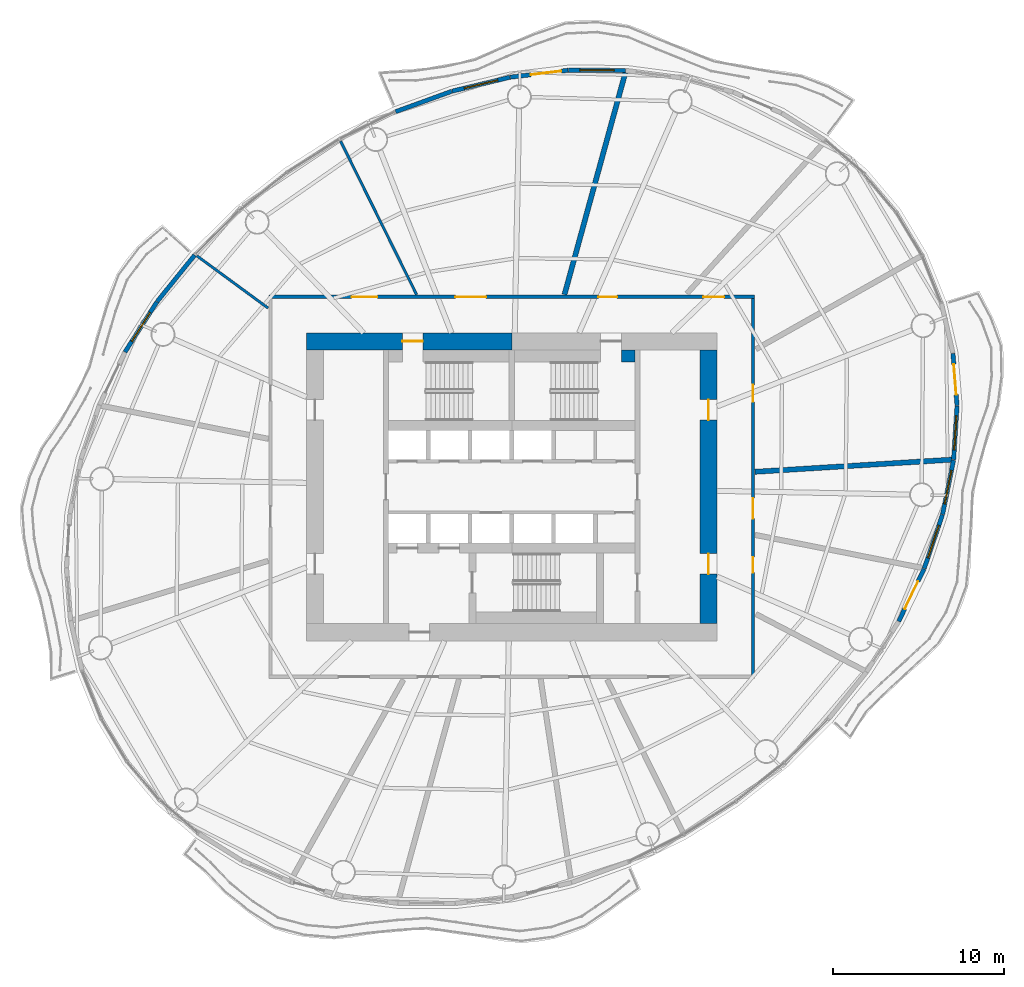
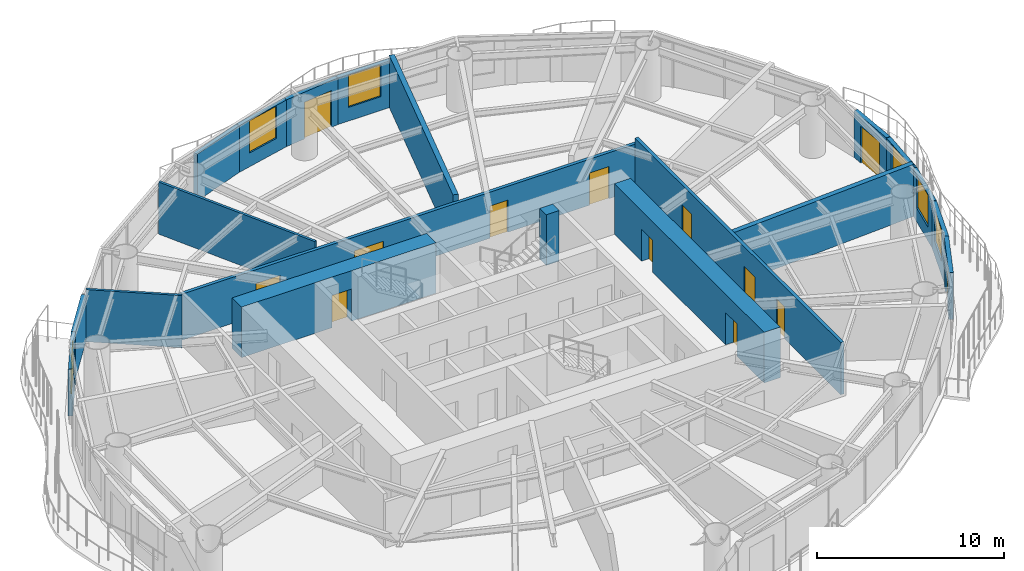
# One storey, part 10 of 15: 20 walls, 13 doors, 6 windows, 19 openings.
"""IFC4 building model written with IfcOpenShell, lengths in metres."""

from ifc_helpers import new_model, si_unit, direction, frame, frame_2d, origin, place, context, subcontext, project, spatial, rectangle, extrude, material, layer, layer_set, type_object, element, fill, save


model = new_model("IFC4")

# Units and contexts
model_context = context("Model", 3, precision=1e-05, world=origin(), true_north=direction((0.0, 1.0)))
body_context = subcontext(model_context, "Body", "Model", "MODEL_VIEW")
ifc_project = project(units=[si_unit("LENGTHUNIT", "METRE"), si_unit("AREAUNIT", "SQUARE_METRE"), si_unit("VOLUMEUNIT", "CUBIC_METRE"), si_unit("PLANEANGLEUNIT", "RADIAN"), si_unit("MASSUNIT", "GRAM", prefix="KILO")], contexts=[model_context])

# Site, building, storey
site_placement = place(None, origin())
site = spatial("IfcSite", under=ifc_project, at=site_placement, CompositionType="ELEMENT")
building_placement = place(site_placement, origin())
building = spatial("IfcBuilding", under=site, at=building_placement, Name="Vermilion Reach Broadcast Tower", CompositionType="ELEMENT")
storey_placement = place(building_placement, frame((0.0, 0.0, 175.800048828125)))
storey = spatial("IfcBuildingStorey", under=building, at=storey_placement, Name="L42", CompositionType="ELEMENT", Elevation=175.800048828125)

# Wall, opening, door
ifc_material_1 = material(Name="Concrete C70", Category="concrete")
ifc_layer_1 = layer(ifc_material_1, 1.0)
ifc_layer_set_1 = layer_set([ifc_layer_1], Name="Core outer wall 1000 mm Concrete C70")
wall_type_1 = type_object("IfcWallType", Name="Core outer wall 1000 mm Concrete C70", PredefinedType="SHEAR", material=ifc_layer_set_1)
wall_1_placement = place(storey_placement, frame((-6.0, 8.5, 0.0), z_axis=(0.0, 0.0, 1.0), x_axis=(-1.0, 0.0, 0.0)))
wall_1 = element("IfcWall", 1, at=wall_1_placement, inside=storey, type_object=wall_type_1, Name="L42 core wall onW", PredefinedType="SHEAR", context=body_context, shape_type="SweptSolid", body=[
    extrude(rectangle(XDim=12.0, YDim=1.0, at=frame_2d((6.0, 0.0))), origin(), (0.0, 0.0, 1.0), 3.300048828125),
])
opening_1_placement = place(wall_1_placement, frame((5.199951171875, 0.0, 0.0)))
opening_1 = element("IfcOpeningElement", 2, at=opening_1_placement, cuts=wall_1, Name="Opening D01", PredefinedType="OPENING", context=body_context, shape_type="SweptSolid", body=[
    extrude(rectangle(XDim=1.199951171875, YDim=2.10009765625, at=frame_2d((0.60009765625, 1.050048828125))), frame((0.0, 0.510009765625, 0.0), z_axis=(0.0, -1.0, 0.0), x_axis=(1.0, 0.0, 0.0)), (0.0, 0.0, 1.0), 1.02001953125),
])
ifc_material_2 = material(Name="Painted steel fire door", Category="steel")
door_type_1 = type_object("IfcDoorType", Name="Stair door 1200 x 2100", OperationType="DOUBLE_DOOR_SINGLE_SWING", PredefinedType="NOTDEFINED", material=ifc_material_2)
door_1_placement = place(opening_1_placement, origin())
door_1 = element("IfcDoor", 3, at=door_1_placement, inside=storey, type_object=door_type_1, Name="L42 stair door ST1", OperationType="DOUBLE_DOOR_SINGLE_SWING", OverallHeight=2.10009765625, OverallWidth=1.199951171875, PredefinedType="NOTDEFINED", context=body_context, shape_type="SweptSolid", body=[
    extrude(rectangle(XDim=1.199951171875, YDim=2.10009765625, at=frame_2d((0.60009765625, 1.050048828125))), frame((0.0, 0.02490234375, 0.0), z_axis=(0.0, -1.0, 0.0), x_axis=(1.0, 0.0, 0.0)), (0.0, 0.0, 1.0), 0.050048828125),
])
fill(opening_1, door_1)

# Wall, openings, doors
wall_2_placement = place(storey_placement, frame((5.5, -8.0, 0.0), z_axis=(0.0, 0.0, 1.0), x_axis=(0.0, 1.0, 0.0)))
wall_2 = element("IfcWall", 4, at=wall_2_placement, inside=storey, type_object=wall_type_1, Name="L42 core wall oe", PredefinedType="SHEAR", context=body_context, shape_type="SweptSolid", body=[
    extrude(rectangle(XDim=16.0, YDim=1.0, at=frame_2d((8.0, 0.0))), origin(), (0.0, 0.0, 1.0), 3.300048828125),
])
opening_2_placement = place(wall_2_placement, frame((2.89990234375, 0.0, 0.0)))
opening_2 = element("IfcOpeningElement", 5, at=opening_2_placement, cuts=wall_2, Name="Opening D03", PredefinedType="OPENING", context=body_context, shape_type="SweptSolid", body=[
    extrude(rectangle(XDim=1.199951171875, YDim=2.10009765625, at=frame_2d((0.60009765625, 1.050048828125))), frame((0.0, 0.510009765625, 0.0), z_axis=(0.0, -1.0, 0.0), x_axis=(1.0, 0.0, 0.0)), (0.0, 0.0, 1.0), 1.02001953125),
])
opening_3_placement = place(wall_2_placement, frame((11.89990234375, 0.0, 0.0)))
opening_3 = element("IfcOpeningElement", 6, at=opening_3_placement, cuts=wall_2, Name="Opening D03", PredefinedType="OPENING", context=body_context, shape_type="SweptSolid", body=[
    extrude(rectangle(XDim=1.199951171875, YDim=2.10009765625, at=frame_2d((0.60009765625, 1.050048828125))), frame((0.0, 0.510009765625, 0.0), z_axis=(0.0, -1.0, 0.0), x_axis=(1.0, 0.0, 0.0)), (0.0, 0.0, 1.0), 1.02001953125),
])
ifc_material_3 = material(Name="Painted steel fire door", Category="steel")
door_type_2 = type_object("IfcDoorType", Name="Core lobby door 1200 x 2100", OperationType="DOUBLE_DOOR_SINGLE_SWING", PredefinedType="NOTDEFINED", material=ifc_material_3)
door_2_placement = place(opening_2_placement, origin())
door_2 = element("IfcDoor", 7, at=door_2_placement, inside=storey, type_object=door_type_2, Name="L42 slot door E0", OperationType="DOUBLE_DOOR_SINGLE_SWING", OverallHeight=2.10009765625, OverallWidth=1.199951171875, PredefinedType="NOTDEFINED", context=body_context, shape_type="SweptSolid", body=[
    extrude(rectangle(XDim=1.199951171875, YDim=2.10009765625, at=frame_2d((0.60009765625, 1.050048828125))), frame((0.0, 0.02490234375, 0.0), z_axis=(0.0, -1.0, 0.0), x_axis=(1.0, 0.0, 0.0)), (0.0, 0.0, 1.0), 0.050048828125),
])
fill(opening_2, door_2)
door_3_placement = place(opening_3_placement, origin())
door_3 = element("IfcDoor", 8, at=door_3_placement, inside=storey, type_object=door_type_2, Name="L42 slot door E1", OperationType="DOUBLE_DOOR_SINGLE_SWING", OverallHeight=2.10009765625, OverallWidth=1.199951171875, PredefinedType="NOTDEFINED", context=body_context, shape_type="SweptSolid", body=[
    extrude(rectangle(XDim=1.199951171875, YDim=2.10009765625, at=frame_2d((0.60009765625, 1.050048828125))), frame((0.0, 0.02490234375, 0.0), z_axis=(0.0, -1.0, 0.0), x_axis=(1.0, 0.0, 0.0)), (0.0, 0.0, 1.0), 0.050048828125),
])
fill(opening_3, door_3)

# Wall
ifc_material_4 = material(Name="Concrete C70", Category="concrete")
ifc_layer_2 = layer(ifc_material_4, 0.699951171875)
ifc_layer_set_2 = layer_set([ifc_layer_2], Name="Core stair wall 700 mm Concrete C70")
wall_type_2 = type_object("IfcWallType", Name="Core stair wall 700 mm Concrete C70", PredefinedType="SHEAR", material=ifc_layer_set_2)
wall_3_placement = place(storey_placement, frame((0.39990234375, 7.64990234375, 0.0), z_axis=(0.0, 0.0, 1.0), x_axis=(1.0, 0.0, 0.0)))
element("IfcWall", 9, at=wall_3_placement, inside=storey, type_object=wall_type_2, Name="L42 core wall l2b", PredefinedType="SHEAR", context=body_context, shape_type="SweptSolid", body=[
    extrude(rectangle(XDim=0.800048828125, YDim=0.699951171875, at=frame_2d((0.39990234375, 0.0))), origin(), (0.0, 0.0, 1.0), 3.300048828125),
])

# Wall, openings, doors
ifc_material_5 = material(Name="Fire-rated gypsum board partition")
ifc_layer_3 = layer(ifc_material_5, 0.199951171875)
ifc_layer_set_3 = layer_set([ifc_layer_3], Name="Corridor wall 200 fire-rated")
wall_type_3 = type_object("IfcWallType", Name="Corridor wall 200 fire-rated", PredefinedType="PARTITIONING", material=ifc_layer_set_3)
wall_4_placement = place(storey_placement, frame((8.10009765625, 11.0, 0.0), z_axis=(0.0, 0.0, 1.0), x_axis=(0.0, -1.0, 0.0)))
wall_4 = element("IfcWall", 10, at=wall_4_placement, inside=storey, type_object=wall_type_3, Name="Corridor wall 42.E", PredefinedType="PARTITIONING", context=body_context, shape_type="SweptSolid", body=[
    extrude(rectangle(XDim=22.0, YDim=0.199951171875, at=frame_2d((11.0, 0.0))), origin(), (0.0, 0.0, 1.0), 3.39990234375),
])
opening_4_placement = place(wall_4_placement, frame((15.1123046875, 0.0, 0.0)))
opening_4 = element("IfcOpeningElement", 11, at=opening_4_placement, cuts=wall_4, Name="Opening D22", PredefinedType="OPENING", context=body_context, shape_type="SweptSolid", body=[
    extrude(rectangle(XDim=0.89990234375, YDim=2.10009765625, at=frame_2d((0.449951171875, 1.050048828125))), frame((0.0, 0.10986328125, 0.0), z_axis=(0.0, -1.0, 0.0), x_axis=(1.0, 0.0, 0.0)), (0.0, 0.0, 1.0), 0.219970703125),
])
opening_5_placement = place(wall_4_placement, frame((11.65966796875, 0.0, 0.0)))
opening_5 = element("IfcOpeningElement", 12, at=opening_5_placement, cuts=wall_4, Name="Opening D26", PredefinedType="OPENING", context=body_context, shape_type="SweptSolid", body=[
    extrude(rectangle(XDim=1.199951171875, YDim=2.10009765625, at=frame_2d((0.60009765625, 1.050048828125))), frame((0.0, 0.10986328125, 0.0), z_axis=(0.0, -1.0, 0.0), x_axis=(1.0, 0.0, 0.0)), (0.0, 0.0, 1.0), 0.219970703125),
])
opening_6_placement = place(wall_4_placement, frame((5.03369140625, 0.0, 0.0)))
opening_6 = element("IfcOpeningElement", 13, at=opening_6_placement, cuts=wall_4, Name="Opening D20", PredefinedType="OPENING", context=body_context, shape_type="SweptSolid", body=[
    extrude(rectangle(XDim=1.0, YDim=2.10009765625, at=frame_2d((0.5, 1.050048828125))), frame((0.0, 0.10986328125, 0.0), z_axis=(0.0, -1.0, 0.0), x_axis=(1.0, 0.0, 0.0)), (0.0, 0.0, 1.0), 0.219970703125),
])
ifc_material_6 = material(Name="Timber door leaf", Category="wood")
door_type_3 = type_object("IfcDoorType", Name="Door single 1000x2100", OperationType="NOTDEFINED", PredefinedType="DOOR", material=ifc_material_6)
door_4_placement = place(opening_6_placement, origin())
door_4 = element("IfcDoor", 14, at=door_4_placement, inside=storey, type_object=door_type_3, Name="Door 42.13", OperationType="SINGLE_SWING_LEFT", OverallHeight=2.10009765625, OverallWidth=1.0, PredefinedType="DOOR", context=body_context, shape_type="SweptSolid", body=[
    extrude(rectangle(XDim=1.0, YDim=2.10009765625, at=frame_2d((0.5, 1.050048828125))), frame((0.0, 0.02490234375, 0.0), z_axis=(0.0, -1.0, 0.0), x_axis=(1.0, 0.0, 0.0)), (0.0, 0.0, 1.0), 0.050048828125),
])
fill(opening_6, door_4)
ifc_material_7 = material(Name="Acoustic timber door leaf", Category="wood")
door_type_4 = type_object("IfcDoorType", Name="Door single 1200x2100", OperationType="NOTDEFINED", PredefinedType="DOOR", material=ifc_material_7)
door_5_placement = place(opening_5_placement, origin())
door_5 = element("IfcDoor", 15, at=door_5_placement, inside=storey, type_object=door_type_4, Name="Door 42.12", OperationType="SINGLE_SWING_RIGHT", OverallHeight=2.10009765625, OverallWidth=1.199951171875, PredefinedType="DOOR", context=body_context, shape_type="SweptSolid", body=[
    extrude(rectangle(XDim=1.199951171875, YDim=2.10009765625, at=frame_2d((0.60009765625, 1.050048828125))), frame((0.0, 0.02490234375, 0.0), z_axis=(0.0, -1.0, 0.0), x_axis=(1.0, 0.0, 0.0)), (0.0, 0.0, 1.0), 0.050048828125),
])
fill(opening_5, door_5)
ifc_material_8 = material(Name="Timber door leaf", Category="wood")
door_type_5 = type_object("IfcDoorType", Name="Door single 900x2100", OperationType="NOTDEFINED", PredefinedType="DOOR", material=ifc_material_8)
door_6_placement = place(opening_4_placement, origin())
door_6 = element("IfcDoor", 16, at=door_6_placement, inside=storey, type_object=door_type_5, Name="Door 42.11", OperationType="SINGLE_SWING_LEFT", OverallHeight=2.10009765625, OverallWidth=0.89990234375, PredefinedType="DOOR", context=body_context, shape_type="SweptSolid", body=[
    extrude(rectangle(XDim=0.89990234375, YDim=2.10009765625, at=frame_2d((0.449951171875, 1.050048828125))), frame((0.0, 0.02490234375, 0.0), z_axis=(0.0, -1.0, 0.0), x_axis=(1.0, 0.0, 0.0)), (0.0, 0.0, 1.0), 0.050048828125),
])
fill(opening_4, door_6)

# Walls
ifc_material_9 = material(Name="Lightweight concrete block, plastered", Category="concrete")
ifc_layer_4 = layer(ifc_material_9, 0.14990234375)
ifc_layer_set_4 = layer_set([ifc_layer_4], Name="Partition 150 lightweight block")
wall_type_4 = type_object("IfcWallType", Name="Partition 150 lightweight block", PredefinedType="PARTITIONING", material=ifc_layer_set_4)
wall_5_placement = place(storey_placement, frame((-16.00439453125, 20.20947265625, 0.0), z_axis=(0.0, 0.0, 1.0), x_axis=(0.443651290201, -0.896199493809, 0.0)))
element("IfcWall", 17, at=wall_5_placement, inside=storey, type_object=wall_type_4, Name="Partition 42.03", PredefinedType="PARTITIONING", context=body_context, shape_type="SweptSolid", body=[
    extrude(rectangle(XDim=10.015869140625, YDim=0.14990234375, at=frame_2d((5.0078125, 0.0))), origin(), (0.0, 0.0, 1.0), 3.39990234375),
])
wall_6_placement = place(storey_placement, frame((-24.406005859375, 13.50390625, 0.0), z_axis=(0.0, 0.0, 1.0), x_axis=(0.806278661404, -0.591535899303, 0.0)))
element("IfcWall", 18, at=wall_6_placement, inside=storey, type_object=wall_type_4, Name="Partition 42.04", PredefinedType="PARTITIONING", context=body_context, shape_type="SweptSolid", body=[
    extrude(rectangle(XDim=5.16162109375, YDim=0.14990234375, at=frame_2d((2.580810546875, 0.0))), origin(), (0.0, 0.0, 1.0), 3.39990234375),
])
ifc_material_10 = material(Name="Double-leaf plasterboard on isolated steel stud", Category="steel")
ifc_layer_5 = layer(ifc_material_10, 0.300048828125)
ifc_layer_set_5 = layer_set([ifc_layer_5], Name="Partition 300 acoustic double leaf")
wall_type_5 = type_object("IfcWallType", Name="Partition 300 acoustic double leaf", PredefinedType="PARTITIONING", material=ifc_layer_set_5)
wall_7_placement = place(storey_placement, frame((0.641357421875, 24.2138671875, 0.0), z_axis=(0.0, 0.0, 1.0), x_axis=(-0.264514468867, -0.964381716832, 0.0)))
element("IfcWall", 19, at=wall_7_placement, inside=storey, type_object=wall_type_5, Name="Partition 42.02", PredefinedType="PARTITIONING", context=body_context, shape_type="SweptSolid", body=[
    extrude(rectangle(XDim=13.453369140625, YDim=0.300048828125, at=frame_2d((6.7265625, 0.0))), origin(), (0.0, 0.0, 1.0), 3.39990234375),
])
wall_8_placement = place(storey_placement, frame((19.69970703125, 1.58935546875, 0.0), z_axis=(0.0, 0.0, 1.0), x_axis=(-0.998092720138, -0.061732665639, 0.0)))
element("IfcWall", 20, at=wall_8_placement, inside=storey, type_object=wall_type_5, Name="Partition 42.13", PredefinedType="PARTITIONING", context=body_context, shape_type="SweptSolid", body=[
    extrude(rectangle(XDim=11.512451171875, YDim=0.300048828125, at=frame_2d((5.75634765625, 0.0))), origin(), (0.0, 0.0, 1.0), 3.39990234375),
])

# Wall, opening, window
ifc_material_11 = material(Name="Terracotta rainscreen cladding", Category="masonry")
ifc_layer_6 = layer(ifc_material_11, 0.25)
ifc_layer_set_6 = layer_set([ifc_layer_6], Name="Terracotta rainscreen wall 250")
wall_type_6 = type_object("IfcWallType", Name="Terracotta rainscreen wall 250", PredefinedType="SOLIDWALL", material=ifc_layer_set_6)
wall_9_placement = place(storey_placement, frame((0.6376953125, 24.338623046875, 0.0), z_axis=(0.0, 0.0, 1.0), x_axis=(-0.999994765707, 0.003235515089, 0.0)))
wall_9 = element("IfcWall", 21, at=wall_9_placement, inside=storey, type_object=wall_type_6, Name="External wall L42 06", PredefinedType="SOLIDWALL", context=body_context, shape_type="SweptSolid", body=[
    extrude(rectangle(XDim=3.320068359375, YDim=0.25, at=frame_2d((1.66015625, 0.0))), origin(), (0.0, 0.0, 1.0), 3.050048828125),
])
opening_7_placement = place(wall_9_placement, frame((0.66015625, 0.0, 0.89990234375)))
opening_7 = element("IfcOpeningElement", 22, at=opening_7_placement, cuts=wall_9, Name="Opening W03", PredefinedType="OPENING", context=body_context, shape_type="SweptSolid", body=[
    extrude(rectangle(XDim=2.0, YDim=2.10009765625, at=frame_2d((1.0, 1.050048828125))), frame((0.0, 0.135009765625, 0.0), z_axis=(0.0, -1.0, 0.0), x_axis=(1.0, 0.0, 0.0)), (0.0, 0.0, 1.0), 0.27001953125),
])
ifc_material_12 = material(Name="Low-e laminated clear glass in aluminium frame", Category="aluminium")
window_type = type_object("IfcWindowType", Name="Punched window 2000 x 2100 sill 900", PartitioningType="SINGLE_PANEL", PredefinedType="WINDOW", material=ifc_material_12)
window_1_placement = place(opening_7_placement, origin())
window_1 = element("IfcWindow", 23, at=window_1_placement, inside=storey, type_object=window_type, Name="Window L42 06", OverallHeight=2.10009765625, OverallWidth=2.0, PartitioningType="SINGLE_PANEL", PredefinedType="WINDOW", context=body_context, shape_type="SweptSolid", body=[
    extrude(rectangle(XDim=2.0, YDim=2.10009765625, at=frame_2d((1.0, 1.050048828125))), frame((0.0, 0.030029296875, 0.0), z_axis=(0.0, -1.0, 0.0), x_axis=(1.0, 0.0, 0.0)), (0.0, 0.0, 1.0), 0.06005859375),
])
fill(opening_7, window_1)

# Wall, opening, door
wall_10_placement = place(storey_placement, frame((-2.70556640625, 24.347900390625, 0.0), z_axis=(0.0, 0.0, 1.0), x_axis=(-0.992928000629, -0.118718092836, 0.0)))
wall_10 = element("IfcWall", 24, at=wall_10_placement, inside=storey, type_object=wall_type_6, Name="External wall L42 07", PredefinedType="SOLIDWALL", context=body_context, shape_type="SweptSolid", body=[
    extrude(rectangle(XDim=3.403564453125, YDim=0.25, at=frame_2d((1.70166015625, 0.0))), origin(), (0.0, 0.0, 1.0), 3.050048828125),
])
opening_8_placement = place(wall_10_placement, frame((0.402099609375, 0.0, 0.0)))
opening_8 = element("IfcOpeningElement", 25, at=opening_8_placement, cuts=wall_10, Name="Opening D70", PredefinedType="OPENING", context=body_context, shape_type="SweptSolid", body=[
    extrude(rectangle(XDim=1.800048828125, YDim=2.39990234375, at=frame_2d((0.89990234375, 1.199951171875))), frame((0.0, 0.135009765625, 0.0), z_axis=(0.0, -1.0, 0.0), x_axis=(1.0, 0.0, 0.0)), (0.0, 0.0, 1.0), 0.27001953125),
])
ifc_material_13 = material(Name="Low-e laminated clear glass in aluminium frame", Category="aluminium")
door_type_6 = type_object("IfcDoorType", Name="Balcony sliding door 1800 x 2400", OperationType="DOUBLE_DOOR_SLIDING", PredefinedType="DOOR", material=ifc_material_13)
door_7_placement = place(opening_8_placement, origin())
door_7 = element("IfcDoor", 26, at=door_7_placement, inside=storey, type_object=door_type_6, Name="Balcony door L42 run 02", OperationType="DOUBLE_DOOR_SLIDING", OverallHeight=2.39990234375, OverallWidth=1.800048828125, PredefinedType="DOOR", context=body_context, shape_type="SweptSolid", body=[
    extrude(rectangle(XDim=1.800048828125, YDim=2.39990234375, at=frame_2d((0.89990234375, 1.199951171875))), frame((0.0, 0.02490234375, 0.0), z_axis=(0.0, -1.0, 0.0), x_axis=(1.0, 0.0, 0.0)), (0.0, 0.0, 1.0), 0.050048828125),
])
fill(opening_8, door_7)

# Wall, opening, window
wall_11_placement = place(storey_placement, frame((-6.107177734375, 23.93994140625, 0.0), z_axis=(0.0, 0.0, 1.0), x_axis=(-0.97230053317, -0.233734193469, 0.0)))
wall_11 = element("IfcWall", 27, at=wall_11_placement, inside=storey, type_object=wall_type_6, Name="External wall L42 08", PredefinedType="SOLIDWALL", context=body_context, shape_type="SweptSolid", body=[
    extrude(rectangle(XDim=3.47607421875, YDim=0.25, at=frame_2d((1.738037109375, 0.0))), origin(), (0.0, 0.0, 1.0), 3.050048828125),
])
opening_9_placement = place(wall_11_placement, frame((0.738037109375, 0.0, 0.89990234375)))
opening_9 = element("IfcOpeningElement", 28, at=opening_9_placement, cuts=wall_11, Name="Opening W03", PredefinedType="OPENING", context=body_context, shape_type="SweptSolid", body=[
    extrude(rectangle(XDim=2.0, YDim=2.10009765625, at=frame_2d((1.0, 1.050048828125))), frame((0.0, 0.135009765625, 0.0), z_axis=(0.0, -1.0, 0.0), x_axis=(1.0, 0.0, 0.0)), (0.0, 0.0, 1.0), 0.27001953125),
])
window_2_placement = place(opening_9_placement, origin())
window_2 = element("IfcWindow", 29, at=window_2_placement, inside=storey, type_object=window_type, Name="Window L42 08", OverallHeight=2.10009765625, OverallWidth=2.0, PartitioningType="SINGLE_PANEL", PredefinedType="WINDOW", context=body_context, shape_type="SweptSolid", body=[
    extrude(rectangle(XDim=2.0, YDim=2.10009765625, at=frame_2d((1.0, 1.050048828125))), frame((0.0, 0.030029296875, 0.0), z_axis=(0.0, -1.0, 0.0), x_axis=(1.0, 0.0, 0.0)), (0.0, 0.0, 1.0), 0.06005859375),
])
fill(opening_9, window_2)

# Walls
wall_12_placement = place(storey_placement, frame((-9.508056640625, 23.12109375, 0.0), z_axis=(0.0, 0.0, 1.0), x_axis=(-0.939842425933, -0.341608276271, 0.0)))
element("IfcWall", 30, at=wall_12_placement, inside=storey, type_object=wall_type_6, Name="External wall L42 09", PredefinedType="SOLIDWALL", context=body_context, shape_type="SweptSolid", body=[
    extrude(rectangle(XDim=3.490478515625, YDim=0.25, at=frame_2d((1.7451171875, 0.0))), origin(), (0.0, 0.0, 1.0), 3.050048828125),
])
wall_13_placement = place(storey_placement, frame((-24.533447265625, 13.544921875, 0.0), z_axis=(0.0, 0.0, 1.0), x_axis=(-0.628441308027, -0.777857006374, 0.0)))
element("IfcWall", 31, at=wall_13_placement, inside=storey, type_object=wall_type_6, Name="External wall L42 14", PredefinedType="SOLIDWALL", context=body_context, shape_type="SweptSolid", body=[
    extrude(rectangle(XDim=3.490234375, YDim=0.25, at=frame_2d((1.7451171875, 0.0))), origin(), (0.0, 0.0, 1.0), 3.050048828125),
])

# Wall, opening, window
wall_14_placement = place(storey_placement, frame((-26.73974609375, 10.81201171875, 0.0), z_axis=(0.0, 0.0, 1.0), x_axis=(-0.53695729442, -0.843609426197, 0.0)))
wall_14 = element("IfcWall", 32, at=wall_14_placement, inside=storey, type_object=wall_type_6, Name="External wall L42 15", PredefinedType="SOLIDWALL", context=body_context, shape_type="SweptSolid", body=[
    extrude(rectangle(XDim=3.47607421875, YDim=0.25, at=frame_2d((1.738037109375, 0.0))), origin(), (0.0, 0.0, 1.0), 3.050048828125),
])
opening_10_placement = place(wall_14_placement, frame((0.738037109375, 0.0, 0.89990234375)))
opening_10 = element("IfcOpeningElement", 33, at=opening_10_placement, cuts=wall_14, Name="Opening W03", PredefinedType="OPENING", context=body_context, shape_type="SweptSolid", body=[
    extrude(rectangle(XDim=2.0, YDim=2.10009765625, at=frame_2d((1.0, 1.050048828125))), frame((0.0, 0.135009765625, 0.0), z_axis=(0.0, -1.0, 0.0), x_axis=(1.0, 0.0, 0.0)), (0.0, 0.0, 1.0), 0.27001953125),
])
window_3_placement = place(opening_10_placement, origin())
window_3 = element("IfcWindow", 34, at=window_3_placement, inside=storey, type_object=window_type, Name="Window L42 15", OverallHeight=2.10009765625, OverallWidth=2.0, PartitioningType="SINGLE_PANEL", PredefinedType="WINDOW", context=body_context, shape_type="SweptSolid", body=[
    extrude(rectangle(XDim=2.0, YDim=2.10009765625, at=frame_2d((1.0, 1.050048828125))), frame((0.0, 0.030029296875, 0.0), z_axis=(0.0, -1.0, 0.0), x_axis=(1.0, 0.0, 0.0)), (0.0, 0.0, 1.0), 0.06005859375),
])
fill(opening_10, window_3)

# Wall, opening, door
wall_15_placement = place(storey_placement, frame((16.6171875, -7.85986328125, 0.0), z_axis=(0.0, 0.0, 1.0), x_axis=(0.434919571845, 0.900469303211, 0.0)))
wall_15 = element("IfcWall", 35, at=wall_15_placement, inside=storey, type_object=wall_type_6, Name="External wall L42 40", PredefinedType="SOLIDWALL", context=body_context, shape_type="SweptSolid", body=[
    extrude(rectangle(XDim=3.403564453125, YDim=0.25, at=frame_2d((1.70166015625, 0.0))), origin(), (0.0, 0.0, 1.0), 3.050048828125),
])
opening_11_placement = place(wall_15_placement, frame((0.802001953125, 0.0, 0.0)))
opening_11 = element("IfcOpeningElement", 36, at=opening_11_placement, cuts=wall_15, Name="Opening D70", PredefinedType="OPENING", context=body_context, shape_type="SweptSolid", body=[
    extrude(rectangle(XDim=1.800048828125, YDim=2.39990234375, at=frame_2d((0.89990234375, 1.199951171875))), frame((0.0, 0.135009765625, 0.0), z_axis=(0.0, -1.0, 0.0), x_axis=(1.0, 0.0, 0.0)), (0.0, 0.0, 1.0), 0.27001953125),
])
door_8_placement = place(opening_11_placement, origin())
door_8 = element("IfcDoor", 37, at=door_8_placement, inside=storey, type_object=door_type_6, Name="Balcony door L42 run 10", OperationType="DOUBLE_DOOR_SLIDING", OverallHeight=2.39990234375, OverallWidth=1.800048828125, PredefinedType="DOOR", context=body_context, shape_type="SweptSolid", body=[
    extrude(rectangle(XDim=1.800048828125, YDim=2.39990234375, at=frame_2d((0.89990234375, 1.199951171875))), frame((0.0, 0.02490234375, 0.0), z_axis=(0.0, -1.0, 0.0), x_axis=(1.0, 0.0, 0.0)), (0.0, 0.0, 1.0), 0.050048828125),
])
fill(opening_11, door_8)

# Wall, opening, window
wall_16_placement = place(storey_placement, frame((18.106201171875, -4.773681640625, 0.0), z_axis=(0.0, 0.0, 1.0), x_axis=(0.321869774717, 0.946783950077, 0.0)))
wall_16 = element("IfcWall", 38, at=wall_16_placement, inside=storey, type_object=wall_type_6, Name="External wall L42 41", PredefinedType="SOLIDWALL", context=body_context, shape_type="SweptSolid", body=[
    extrude(rectangle(XDim=3.320068359375, YDim=0.25, at=frame_2d((1.66015625, 0.0))), origin(), (0.0, 0.0, 1.0), 3.050048828125),
])
opening_12_placement = place(wall_16_placement, frame((0.66015625, 0.0, 0.89990234375)))
opening_12 = element("IfcOpeningElement", 39, at=opening_12_placement, cuts=wall_16, Name="Opening W03", PredefinedType="OPENING", context=body_context, shape_type="SweptSolid", body=[
    extrude(rectangle(XDim=2.0, YDim=2.10009765625, at=frame_2d((1.0, 1.050048828125))), frame((0.0, 0.135009765625, 0.0), z_axis=(0.0, -1.0, 0.0), x_axis=(1.0, 0.0, 0.0)), (0.0, 0.0, 1.0), 0.27001953125),
])
window_4_placement = place(opening_12_placement, origin())
window_4 = element("IfcWindow", 40, at=window_4_placement, inside=storey, type_object=window_type, Name="Window L42 41", OverallHeight=2.10009765625, OverallWidth=2.0, PartitioningType="SINGLE_PANEL", PredefinedType="WINDOW", context=body_context, shape_type="SweptSolid", body=[
    extrude(rectangle(XDim=2.0, YDim=2.10009765625, at=frame_2d((1.0, 1.050048828125))), frame((0.0, 0.030029296875, 0.0), z_axis=(0.0, -1.0, 0.0), x_axis=(1.0, 0.0, 0.0)), (0.0, 0.0, 1.0), 0.06005859375),
])
fill(opening_12, window_4)

wall_17_placement = place(storey_placement, frame((19.18115234375, -1.607177734375, 0.0), z_axis=(0.0, 0.0, 1.0), x_axis=(0.198076987467, 0.980186465442, 0.0)))
wall_17 = element("IfcWall", 41, at=wall_17_placement, inside=storey, type_object=wall_type_6, Name="External wall L42 42", PredefinedType="SOLIDWALL", context=body_context, shape_type="SweptSolid", body=[
    extrude(rectangle(XDim=3.231689453125, YDim=0.25, at=frame_2d((1.61572265625, 0.0))), origin(), (0.0, 0.0, 1.0), 3.050048828125),
])
opening_13_placement = place(wall_17_placement, frame((0.615966796875, 0.0, 0.89990234375)))
opening_13 = element("IfcOpeningElement", 42, at=opening_13_placement, cuts=wall_17, Name="Opening W03", PredefinedType="OPENING", context=body_context, shape_type="SweptSolid", body=[
    extrude(rectangle(XDim=2.0, YDim=2.10009765625, at=frame_2d((1.0, 1.050048828125))), frame((0.0, 0.135009765625, 0.0), z_axis=(0.0, -1.0, 0.0), x_axis=(1.0, 0.0, 0.0)), (0.0, 0.0, 1.0), 0.27001953125),
])
window_5_placement = place(opening_13_placement, origin())
window_5 = element("IfcWindow", 43, at=window_5_placement, inside=storey, type_object=window_type, Name="Window L42 42", OverallHeight=2.10009765625, OverallWidth=2.0, PartitioningType="SINGLE_PANEL", PredefinedType="WINDOW", context=body_context, shape_type="SweptSolid", body=[
    extrude(rectangle(XDim=2.0, YDim=2.10009765625, at=frame_2d((1.0, 1.050048828125))), frame((0.0, 0.030029296875, 0.0), z_axis=(0.0, -1.0, 0.0), x_axis=(1.0, 0.0, 0.0)), (0.0, 0.0, 1.0), 0.06005859375),
])
fill(opening_13, window_5)

wall_18_placement = place(storey_placement, frame((19.824462890625, 1.585205078125, 0.0), z_axis=(0.0, 0.0, 1.0), x_axis=(0.064065458037, 0.997945698466, 0.0)))
wall_18 = element("IfcWall", 44, at=wall_18_placement, inside=storey, type_object=wall_type_6, Name="External wall L42 43", PredefinedType="SOLIDWALL", context=body_context, shape_type="SweptSolid", body=[
    extrude(rectangle(XDim=3.143798828125, YDim=0.25, at=frame_2d((1.57177734375, 0.0))), origin(), (0.0, 0.0, 1.0), 3.050048828125),
])
opening_14_placement = place(wall_18_placement, frame((0.572021484375, 0.0, 0.89990234375)))
opening_14 = element("IfcOpeningElement", 45, at=opening_14_placement, cuts=wall_18, Name="Opening W03", PredefinedType="OPENING", context=body_context, shape_type="SweptSolid", body=[
    extrude(rectangle(XDim=2.0, YDim=2.10009765625, at=frame_2d((1.0, 1.050048828125))), frame((0.0, 0.135009765625, 0.0), z_axis=(0.0, -1.0, 0.0), x_axis=(1.0, 0.0, 0.0)), (0.0, 0.0, 1.0), 0.27001953125),
])
window_6_placement = place(opening_14_placement, origin())
window_6 = element("IfcWindow", 46, at=window_6_placement, inside=storey, type_object=window_type, Name="Window L42 43", OverallHeight=2.10009765625, OverallWidth=2.0, PartitioningType="SINGLE_PANEL", PredefinedType="WINDOW", context=body_context, shape_type="SweptSolid", body=[
    extrude(rectangle(XDim=2.0, YDim=2.10009765625, at=frame_2d((1.0, 1.050048828125))), frame((0.0, 0.030029296875, 0.0), z_axis=(0.0, -1.0, 0.0), x_axis=(1.0, 0.0, 0.0)), (0.0, 0.0, 1.0), 0.06005859375),
])
fill(opening_14, window_6)

# Wall, opening, door
wall_19_placement = place(storey_placement, frame((20.02587890625, 4.748291015625, 0.0), z_axis=(0.0, 0.0, 1.0), x_axis=(-0.078116681752, 0.99694422313, 0.0)))
wall_19 = element("IfcWall", 47, at=wall_19_placement, inside=storey, type_object=wall_type_6, Name="External wall L42 44", PredefinedType="SOLIDWALL", context=body_context, shape_type="SweptSolid", body=[
    extrude(rectangle(XDim=3.062744140625, YDim=0.25, at=frame_2d((1.53125, 0.0))), origin(), (0.0, 0.0, 1.0), 3.050048828125),
])
opening_15_placement = place(wall_19_placement, frame((0.631103515625, 0.0, 0.0)))
opening_15 = element("IfcOpeningElement", 48, at=opening_15_placement, cuts=wall_19, Name="Opening D70", PredefinedType="OPENING", context=body_context, shape_type="SweptSolid", body=[
    extrude(rectangle(XDim=1.800048828125, YDim=2.39990234375, at=frame_2d((0.89990234375, 1.199951171875))), frame((0.0, 0.135009765625, 0.0), z_axis=(0.0, -1.0, 0.0), x_axis=(1.0, 0.0, 0.0)), (0.0, 0.0, 1.0), 0.27001953125),
])
door_9_placement = place(opening_15_placement, origin())
door_9 = element("IfcDoor", 49, at=door_9_placement, inside=storey, type_object=door_type_6, Name="Balcony door L42 run 11", OperationType="DOUBLE_DOOR_SLIDING", OverallHeight=2.39990234375, OverallWidth=1.800048828125, PredefinedType="DOOR", context=body_context, shape_type="SweptSolid", body=[
    extrude(rectangle(XDim=1.800048828125, YDim=2.39990234375, at=frame_2d((0.89990234375, 1.199951171875))), frame((0.0, 0.02490234375, 0.0), z_axis=(0.0, -1.0, 0.0), x_axis=(1.0, 0.0, 0.0)), (0.0, 0.0, 1.0), 0.050048828125),
])
fill(opening_15, door_9)

# Wall, openings, doors
ifc_material_14 = material(Name="Fire-rated gypsum board partition")
ifc_layer_7 = layer(ifc_material_14, 0.199951171875)
ifc_layer_set_7 = layer_set([ifc_layer_7], Name="Under girder: Corridor wall 200 fire-rated")
wall_type_7 = type_object("IfcWallType", Name="Under girder: Corridor wall 200 fire-rated", PredefinedType="PARTITIONING", material=ifc_layer_set_7)
wall_20_placement = place(storey_placement, frame((-20.199951171875, 11.10009765625, 0.0), z_axis=(0.0, 0.0, 1.0), x_axis=(1.0, 0.0, 0.0)))
wall_20 = element("IfcWall", 50, at=wall_20_placement, inside=storey, type_object=wall_type_7, Name="Corridor wall 42.N", PredefinedType="PARTITIONING", context=body_context, shape_type="SweptSolid", body=[
    extrude(rectangle(XDim=28.39990234375, YDim=0.199951171875, at=frame_2d((14.199951171875, 0.0))), origin(), (0.0, 0.0, 1.0), 3.0),
])
opening_16_placement = place(wall_20_placement, frame((19.265380859375, 0.0, 0.0)))
opening_16 = element("IfcOpeningElement", 51, at=opening_16_placement, cuts=wall_20, Name="Opening D28", PredefinedType="OPENING", context=body_context, shape_type="SweptSolid", body=[
    extrude(rectangle(XDim=1.10009765625, YDim=2.10009765625, at=frame_2d((0.550048828125, 1.050048828125))), frame((0.0, 0.10986328125, 0.0), z_axis=(0.0, -1.0, 0.0), x_axis=(1.0, 0.0, 0.0)), (0.0, 0.0, 1.0), 0.219970703125),
])
opening_17_placement = place(wall_20_placement, frame((10.900634765625, 0.0, 0.0)))
opening_17 = element("IfcOpeningElement", 52, at=opening_17_placement, cuts=wall_20, Name="Opening D21", PredefinedType="OPENING", context=body_context, shape_type="SweptSolid", body=[
    extrude(rectangle(XDim=1.800048828125, YDim=2.10009765625, at=frame_2d((0.89990234375, 1.050048828125))), frame((0.0, 0.10986328125, 0.0), z_axis=(0.0, -1.0, 0.0), x_axis=(1.0, 0.0, 0.0)), (0.0, 0.0, 1.0), 0.219970703125),
])
opening_18_placement = place(wall_20_placement, frame((4.8388671875, 0.0, 0.0)))
opening_18 = element("IfcOpeningElement", 53, at=opening_18_placement, cuts=wall_20, Name="Opening D24", PredefinedType="OPENING", context=body_context, shape_type="SweptSolid", body=[
    extrude(rectangle(XDim=1.5, YDim=2.10009765625, at=frame_2d((0.75, 1.050048828125))), frame((0.0, 0.10986328125, 0.0), z_axis=(0.0, -1.0, 0.0), x_axis=(1.0, 0.0, 0.0)), (0.0, 0.0, 1.0), 0.219970703125),
])
opening_19_placement = place(wall_20_placement, frame((25.4052734375, 0.0, 0.0)))
opening_19 = element("IfcOpeningElement", 54, at=opening_19_placement, cuts=wall_20, Name="Opening D26", PredefinedType="OPENING", context=body_context, shape_type="SweptSolid", body=[
    extrude(rectangle(XDim=1.199951171875, YDim=2.10009765625, at=frame_2d((0.60009765625, 1.050048828125))), frame((0.0, 0.10986328125, 0.0), z_axis=(0.0, -1.0, 0.0), x_axis=(1.0, 0.0, 0.0)), (0.0, 0.0, 1.0), 0.219970703125),
])
ifc_material_15 = material(Name="Timber door leaf", Category="wood")
door_type_7 = type_object("IfcDoorType", Name="Door pair 1500x2100", OperationType="NOTDEFINED", PredefinedType="DOOR", material=ifc_material_15)
door_10_placement = place(opening_18_placement, origin())
door_10 = element("IfcDoor", 55, at=door_10_placement, inside=storey, type_object=door_type_7, Name="Door 42.03", OperationType="DOUBLE_DOOR_SINGLE_SWING", OverallHeight=2.10009765625, OverallWidth=1.5, PredefinedType="DOOR", context=body_context, shape_type="SweptSolid", body=[
    extrude(rectangle(XDim=1.5, YDim=2.10009765625, at=frame_2d((0.75, 1.050048828125))), frame((0.0, 0.02490234375, 0.0), z_axis=(0.0, -1.0, 0.0), x_axis=(1.0, 0.0, 0.0)), (0.0, 0.0, 1.0), 0.050048828125),
])
fill(opening_18, door_10)
ifc_material_16 = material(Name="Timber door leaf", Category="wood")
door_type_8 = type_object("IfcDoorType", Name="Door pair 1800x2100", OperationType="NOTDEFINED", PredefinedType="DOOR", material=ifc_material_16)
door_11_placement = place(opening_17_placement, origin())
door_11 = element("IfcDoor", 56, at=door_11_placement, inside=storey, type_object=door_type_8, Name="Door 42.02", OperationType="DOUBLE_DOOR_SINGLE_SWING", OverallHeight=2.10009765625, OverallWidth=1.800048828125, PredefinedType="DOOR", context=body_context, shape_type="SweptSolid", body=[
    extrude(rectangle(XDim=1.800048828125, YDim=2.10009765625, at=frame_2d((0.89990234375, 1.050048828125))), frame((0.0, 0.02490234375, 0.0), z_axis=(0.0, -1.0, 0.0), x_axis=(1.0, 0.0, 0.0)), (0.0, 0.0, 1.0), 0.050048828125),
])
fill(opening_17, door_11)
ifc_material_17 = material(Name="Acoustic sound-lock door leaf")
door_type_9 = type_object("IfcDoorType", Name="Door single 1100x2100", OperationType="NOTDEFINED", PredefinedType="DOOR", material=ifc_material_17)
door_12_placement = place(opening_16_placement, origin())
door_12 = element("IfcDoor", 57, at=door_12_placement, inside=storey, type_object=door_type_9, Name="Door 42.01", OperationType="SINGLE_SWING_LEFT", OverallHeight=2.10009765625, OverallWidth=1.10009765625, PredefinedType="DOOR", context=body_context, shape_type="SweptSolid", body=[
    extrude(rectangle(XDim=1.10009765625, YDim=2.10009765625, at=frame_2d((0.550048828125, 1.050048828125))), frame((0.0, 0.02490234375, 0.0), z_axis=(0.0, -1.0, 0.0), x_axis=(1.0, 0.0, 0.0)), (0.0, 0.0, 1.0), 0.050048828125),
])
fill(opening_16, door_12)
door_13_placement = place(opening_19_placement, origin())
door_13 = element("IfcDoor", 58, at=door_13_placement, inside=storey, type_object=door_type_4, Name="Door 42.14", OperationType="SINGLE_SWING_LEFT", OverallHeight=2.10009765625, OverallWidth=1.199951171875, PredefinedType="DOOR", context=body_context, shape_type="SweptSolid", body=[
    extrude(rectangle(XDim=1.199951171875, YDim=2.10009765625, at=frame_2d((0.60009765625, 1.050048828125))), frame((0.0, 0.02490234375, 0.0), z_axis=(0.0, -1.0, 0.0), x_axis=(1.0, 0.0, 0.0)), (0.0, 0.0, 1.0), 0.050048828125),
])
fill(opening_19, door_13)

save(model, "model.ifc")
